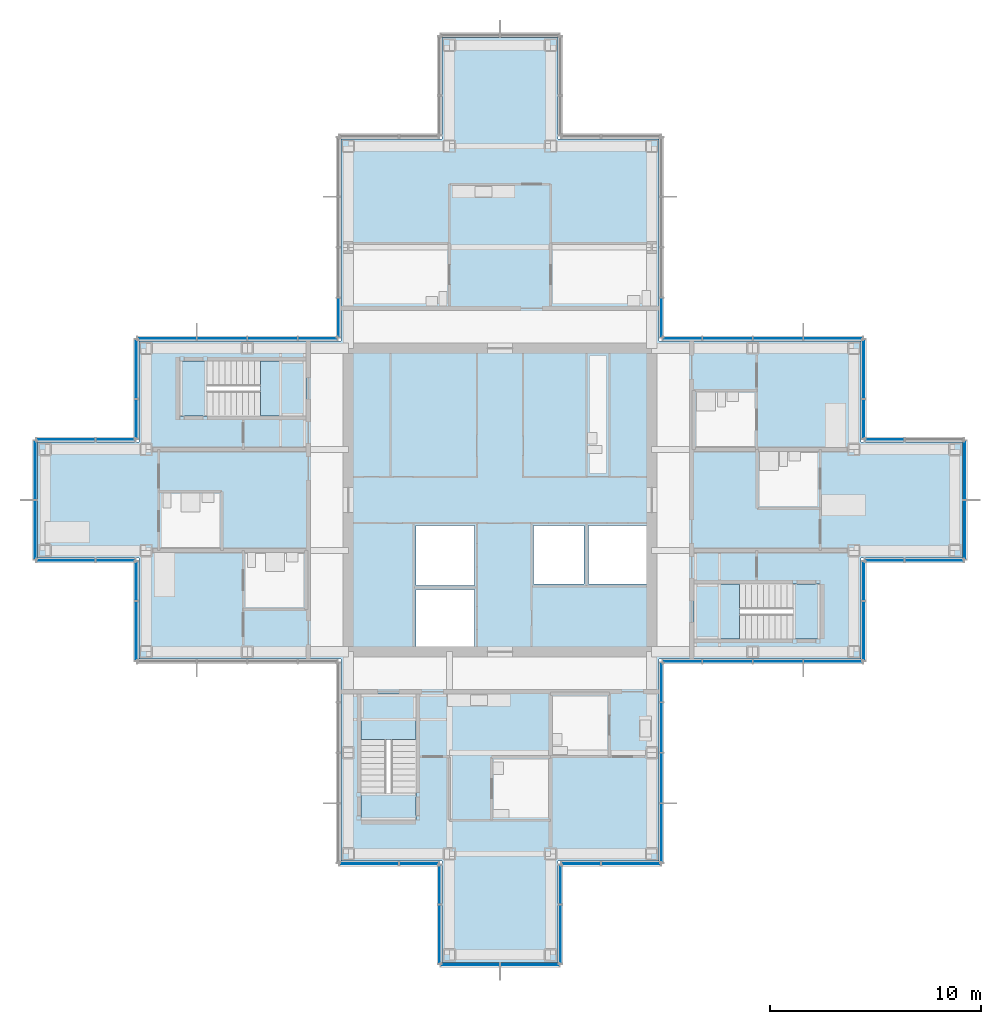
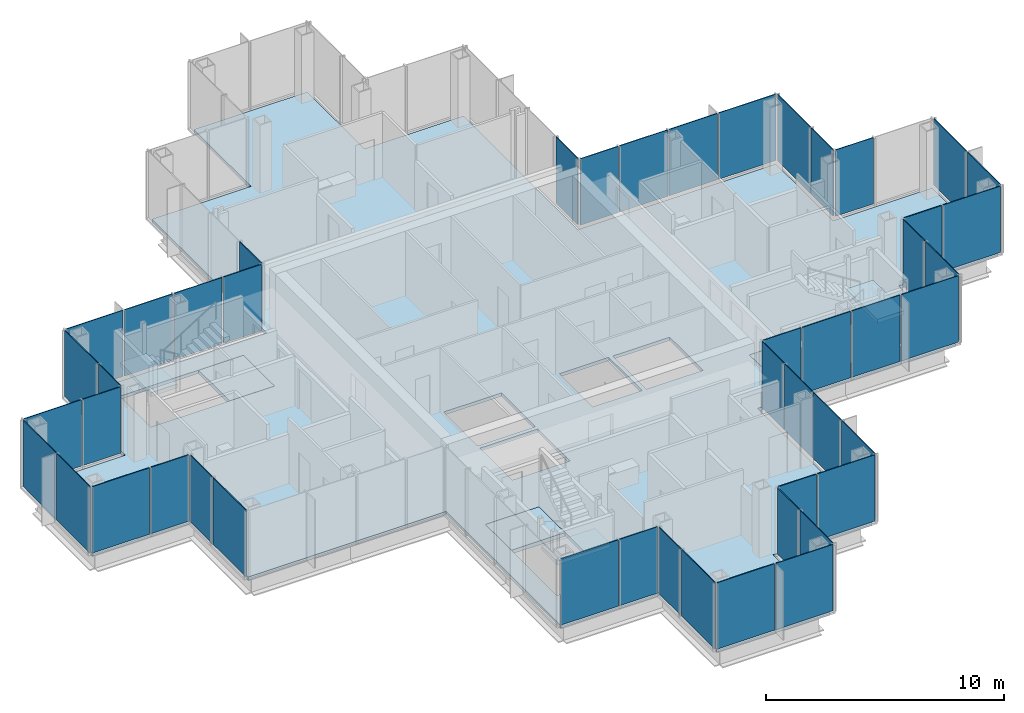
# One storey, part 10 of 17: 47 plates, 7 slabs, 24 elements without a shape of their own.
"""IFC4 building model written with IfcOpenShell, lengths in metres."""

import ifcopenshell
import ifcopenshell.guid

model = None  # the IFC model being written
_history = None  # IfcOwnerHistory: only IFC2X3 demands one
_inside = {}  # id of a spatial element -> (the spatial element, [elements in it])
_under = {}  # id of a project, library or spatial element -> (it, [spatial elements below it])
_declared = {}  # id of a project -> (the project, [libraries it declares])
_typed = {}  # id of a type object -> (the type object, [elements of that type])
_made_of = {}  # id of a material, layer set ... -> (it, [elements and type objects made of it])


def new_model(schema):
    """Start an empty IFC model of exactly this schema.

    Asked for "IFC4X3", IfcOpenShell would pick the latest addendum, in which some entities
    have other attributes; the version numbers below select the first issue.
    IFC2X3 requires an IfcOwnerHistory on every rooted entity: one is made here for all.
    """
    global model, _history
    if schema == "IFC4X3":
        model = ifcopenshell.file(schema_version=(4, 3, 0, 0))
    else:
        model = ifcopenshell.file(schema=schema)
    _inside.clear()
    _under.clear()
    _declared.clear()
    _typed.clear()
    _made_of.clear()
    _history = None
    if model.schema == "IFC2X3":
        org = make("IfcOrganization", Name="unknown")
        user = make(
            "IfcPersonAndOrganization",
            ThePerson=make("IfcPerson", FamilyName="unknown"),
            TheOrganization=org,
        )
        app = make(
            "IfcApplication",
            ApplicationDeveloper=org,
            Version="unknown",
            ApplicationFullName="unknown",
            ApplicationIdentifier="unknown",
        )
        _history = make(
            "IfcOwnerHistory",
            OwningUser=user,
            OwningApplication=app,
            ChangeAction="ADDED",
            CreationDate=0,
        )
    return model


def make(cls, **values):
    """One entity of the class cls with the attributes given. An attribute that is None is left unset."""
    return model.create_entity(
        cls, **{name: value for name, value in values.items() if value is not None}
    )


def rooted(cls, **values):
    """An entity with a GlobalId (a new one), such as an element, a storey or a relation."""
    return make(cls, GlobalId=ifcopenshell.guid.new(), OwnerHistory=_history, **values)


def si_unit(unit_type, name, prefix=None):
    """IfcSIUnit, for example si_unit("LENGTHUNIT", "METRE", prefix="MILLI")."""
    return make("IfcSIUnit", UnitType=unit_type, Prefix=prefix, Name=name)


def assignment(units):
    """IfcUnitAssignment: the units of a project."""
    return None if units is None else make("IfcUnitAssignment", Units=units)


def point(xyz):
    """IfcCartesianPoint."""
    return None if xyz is None else make("IfcCartesianPoint", Coordinates=xyz)


def direction(xyz):
    """IfcDirection."""
    return None if xyz is None else make("IfcDirection", DirectionRatios=xyz)


def frame(location, z_axis=None, x_axis=None):
    """IfcAxis2Placement3D, a coordinate frame: its origin and axes. An axis left out is left unset."""
    return make(
        "IfcAxis2Placement3D",
        Location=point(location),
        Axis=direction(z_axis),
        RefDirection=direction(x_axis),
    )


def frame_2d(location, x_axis=None):
    """IfcAxis2Placement2D, a coordinate frame in the plane: its origin and x axis."""
    return make(
        "IfcAxis2Placement2D", Location=point(location), RefDirection=direction(x_axis)
    )


def origin():
    """The frame at (0, 0, 0) with its axes left unset."""
    return frame((0.0, 0.0, 0.0))


def origin_2d():
    """The frame at (0, 0) in the plane with its x axis left unset."""
    return frame_2d((0.0, 0.0))


def place(relative_to, where):
    """IfcLocalPlacement: puts the frame where relative to a parent placement (None: the world)."""
    return make(
        "IfcLocalPlacement", PlacementRelTo=relative_to, RelativePlacement=where
    )


def context(
    kind, dimensions, precision=None, world=None, true_north=None, identifier=None
):
    """IfcGeometricRepresentationContext, for example the 3D "Model" context."""
    return make(
        "IfcGeometricRepresentationContext",
        ContextIdentifier=identifier,
        ContextType=kind,
        CoordinateSpaceDimension=dimensions,
        Precision=precision,
        WorldCoordinateSystem=world,
        TrueNorth=true_north,
    )


def subcontext(parent, identifier, kind, view, scale=None):
    """IfcGeometricRepresentationSubContext, for example "Body" below "Model"."""
    return make(
        "IfcGeometricRepresentationSubContext",
        ContextIdentifier=identifier,
        ContextType=kind,
        ParentContext=parent,
        TargetScale=scale,
        TargetView=view,
    )


def project(units=None, contexts=None):
    """IfcProject with its units and contexts."""
    return rooted(
        "IfcProject",
        Name="project",
        RepresentationContexts=contexts,
        UnitsInContext=assignment(units),
    )


def spatial(cls, under=None, at=None, **own):
    """A site, building, storey or space (cls), placed at a placement, below another one or the project."""
    s = rooted(cls, ObjectPlacement=at, **own)
    if under is not None:
        _under.setdefault(under.id(), (under, []))[1].append(s)
    return s


def polyline(points):
    """IfcPolyline through the points."""
    return make("IfcPolyline", Points=[point(p) for p in points])


def profile(cls, at=None, kind="AREA", **sizes):
    """A parametric profile (cls). Its sizes go by their IFC names, for example OverallWidth=200.0."""
    return make(cls, ProfileType=kind, Position=at, **sizes)


def rectangle(**sizes):
    """IfcRectangleProfileDef."""
    return profile("IfcRectangleProfileDef", **sizes)


def outline(outer, holes=None, kind="AREA"):
    """IfcArbitraryClosedProfileDef: a profile drawn as a closed curve; with holes, ...WithVoids."""
    if holes is None:
        return make("IfcArbitraryClosedProfileDef", ProfileType=kind, OuterCurve=outer)
    return make(
        "IfcArbitraryProfileDefWithVoids",
        ProfileType=kind,
        OuterCurve=outer,
        InnerCurves=holes,
    )


def extrude(swept, where, along, depth):
    """IfcExtrudedAreaSolid: the profile swept, set in the frame where, extruded along a direction by depth."""
    return make(
        "IfcExtrudedAreaSolid",
        SweptArea=swept,
        Position=where,
        ExtrudedDirection=direction(along),
        Depth=depth,
    )


def shape(context_of_items, identifier, shape_type, items):
    """IfcShapeRepresentation: the items that make up one representation, for example the "Body"."""
    return make(
        "IfcShapeRepresentation",
        ContextOfItems=context_of_items,
        RepresentationIdentifier=identifier,
        RepresentationType=shape_type,
        Items=items,
    )


def material(Name=None, Category=None):
    """IfcMaterial."""
    return make("IfcMaterial", Name=Name, Category=Category)


def layer(
    of_material, thickness, ventilated=None, Name=None, Category=None, Priority=None
):
    """IfcMaterialLayer: one layer of a wall or slab, of a material (None: an air gap)."""
    return make(
        "IfcMaterialLayer",
        Material=of_material,
        LayerThickness=thickness,
        IsVentilated=ventilated,
        Name=Name,
        Category=Category,
        Priority=Priority,
    )


def layer_set(layers, Name=None):
    """IfcMaterialLayerSet."""
    return make("IfcMaterialLayerSet", MaterialLayers=layers, LayerSetName=Name)


def made_of(thing, what):
    """Note that an element or type object is made of a material, layer set ...; save() writes the relation."""
    if what is not None:
        _made_of.setdefault(what.id(), (what, []))[1].append(thing)
    return thing


def type_object(cls, material=None, **own):
    """A type object (cls), such as IfcWallType, which elements share."""
    return made_of(rooted(cls, **own), material)


def element(
    cls,
    number,
    at=None,
    inside=None,
    cuts=None,
    type_object=None,
    material=None,
    context=None,
    identifier="Body",
    shape_type=None,
    held_by="IfcProductDefinitionShape",
    body=None,
    shapes=None,
    **own,
):
    """One element of the class cls, such as IfcWall. Its Tag is "e" and its number.

    at: its placement. inside: the storey or other place that contains it. cuts: it is an
    opening in that element (IfcRelVoidsElement). A single representation is given by context,
    identifier, shape_type and body (its items); several are given by shapes. held_by: the class
    of the entity that holds the representations. save() writes the other relations.
    """
    e = rooted(cls, Tag="e%d" % number, ObjectPlacement=at, **own)
    if body is not None:
        shapes = [shape(context, identifier, shape_type, body)]
    if shapes is not None:
        e.Representation = make(held_by, Representations=shapes)
    if inside is not None:
        _inside.setdefault(inside.id(), (inside, []))[1].append(e)
    if cuts is not None:
        rooted(
            "IfcRelVoidsElement", RelatingBuildingElement=cuts, RelatedOpeningElement=e
        )
    if type_object is not None:
        _typed.setdefault(type_object.id(), (type_object, []))[1].append(e)
    return made_of(e, material)


def aggregate(whole, parts):
    """IfcRelAggregates: a whole, such as a stair, and the parts it consists of."""
    return rooted("IfcRelAggregates", RelatingObject=whole, RelatedObjects=parts)


def save(model, path):
    """Write the relations noted so far, then the file.

    IfcRelAggregates (storeys below a building ...), IfcRelContainedInSpatialStructure (elements
    in a storey), IfcRelDefinesByType, IfcRelAssociatesMaterial and IfcRelDeclares: one each for
    every whole, place, type object, material and project.
    """
    for whole, parts in _under.values():
        aggregate(whole, parts)
    for where, things in _inside.values():
        rooted(
            "IfcRelContainedInSpatialStructure",
            RelatedElements=things,
            RelatingStructure=where,
        )
    for kind, things in _typed.values():
        rooted("IfcRelDefinesByType", RelatedObjects=things, RelatingType=kind)
    for what, things in _made_of.values():
        rooted("IfcRelAssociatesMaterial", RelatedObjects=things, RelatingMaterial=what)
    for by, libraries in _declared.values():
        rooted("IfcRelDeclares", RelatingContext=by, RelatedDefinitions=libraries)
    model.write(path)


model = new_model("IFC4")

# Units and contexts
model_context = context("Model", 3, precision=1e-05, world=origin(), true_north=direction((0.0, 1.0)))
body_context = subcontext(model_context, "Body", "Model", "MODEL_VIEW")
ifc_project = project(units=[si_unit("LENGTHUNIT", "METRE"), si_unit("AREAUNIT", "SQUARE_METRE"), si_unit("VOLUMEUNIT", "CUBIC_METRE"), si_unit("PLANEANGLEUNIT", "RADIAN"), si_unit("MASSUNIT", "GRAM", prefix="KILO")], contexts=[model_context])

# Site, building, storey
site_placement = place(None, origin())
site = spatial("IfcSite", under=ifc_project, at=site_placement, CompositionType="ELEMENT")
building_placement = place(site_placement, origin())
building = spatial("IfcBuilding", under=site, at=building_placement, Name="Kvirike Care Tower", CompositionType="ELEMENT")
storey_placement = place(building_placement, frame((0.0, 0.0, 155.0)))
storey = spatial("IfcBuildingStorey", under=building, at=storey_placement, Name="L42", CompositionType="ELEMENT", Elevation=155.0)

# Slab
ifc_material_1 = material(Name="Concrete C35/45", Category="concrete")
ifc_layer_1 = layer(ifc_material_1, 0.169921875)
ifc_layer_set_1 = layer_set([ifc_layer_1], Name="FLOOR SLAB 170")
slab_type_1 = type_object("IfcSlabType", Name="FLOOR SLAB 170", PredefinedType="FLOOR", material=ifc_layer_set_1)
slab_1_placement = place(storey_placement, frame((0.0, 0.0, -0.169921875)))
element("IfcSlab", 1, at=slab_1_placement, inside=storey, type_object=slab_type_1, Name="Floor slab L42", PredefinedType="FLOOR", context=body_context, shape_type="SweptSolid", body=[
    extrude(outline(polyline([(29.14990234375, 28.449951171875), (38.75, 28.449951171875), (38.75, 33.25), (43.550048828125, 33.25), (43.550048828125, 38.75), (38.75, 38.75), (38.75, 43.550048828125), (29.14990234375, 43.550048828125), (29.14990234375, 53.14990234375), (24.35009765625, 53.14990234375), (24.35009765625, 57.949951171875), (18.85009765625, 57.949951171875), (18.85009765625, 53.14990234375), (14.050048828125, 53.14990234375), (14.050048828125, 43.550048828125), (4.449951171875, 43.550048828125), (4.449951171875, 38.75), (-0.35009765625, 38.75), (-0.35009765625, 33.25), (4.449951171875, 33.25), (4.449951171875, 28.449951171875), (14.050048828125, 28.449951171875), (14.050048828125, 18.85009765625), (18.85009765625, 18.85009765625), (18.85009765625, 14.050048828125), (24.35009765625, 14.050048828125), (24.35009765625, 18.85009765625), (29.14990234375, 18.85009765625), (29.14990234375, 28.449951171875)]), holes=[polyline([(17.60009765625, 29.050048828125), (17.60009765625, 31.75), (20.39990234375, 31.75), (20.39990234375, 29.050048828125), (17.60009765625, 29.050048828125)]), polyline([(17.60009765625, 31.949951171875), (17.60009765625, 34.800048828125), (20.39990234375, 34.800048828125), (20.39990234375, 31.949951171875), (17.60009765625, 31.949951171875)]), polyline([(23.199951171875, 32.0), (23.199951171875, 34.800048828125), (25.60009765625, 34.800048828125), (25.60009765625, 32.0), (23.199951171875, 32.0)]), polyline([(25.800048828125, 32.0), (25.800048828125, 34.800048828125), (28.550048828125, 34.800048828125), (28.550048828125, 32.0), (25.800048828125, 32.0)]), polyline([(12.39990234375, 42.60009765625), (12.39990234375, 40.0), (6.39990234375, 40.0), (6.39990234375, 42.60009765625), (12.39990234375, 42.60009765625)]), polyline([(30.800048828125, 29.39990234375), (30.800048828125, 32.0), (36.800048828125, 32.0), (36.800048828125, 29.39990234375), (30.800048828125, 29.39990234375)]), polyline([(15.0, 26.800048828125), (17.60009765625, 26.800048828125), (17.60009765625, 20.800048828125), (15.0, 20.800048828125), (15.0, 26.800048828125)])]), origin(), (0.0, 0.0, 1.0), 0.169921875),
])

# Stair, slabs
ifc_material_2 = material(Name="Concrete C35/45", Category="concrete")
stair_type = type_object("IfcStairType", Name="STAIR 20 RISERS", PredefinedType="HALF_TURN_STAIR", material=ifc_material_2)
stair_1_placement = place(storey_placement, origin())
stair_1 = element("IfcStair", 2, at=stair_1_placement, inside=storey, type_object=stair_type, Name="Stair 1 L42", PredefinedType="HALF_TURN_STAIR")
ifc_material_3 = material(Name="Concrete C35/45", Category="concrete")
ifc_layer_2 = layer(ifc_material_3, 0.199951171875)
ifc_layer_set_2 = layer_set([ifc_layer_2], Name="STAIR LANDING 200")
slab_type_2 = type_object("IfcSlabType", Name="STAIR LANDING 200", PredefinedType="LANDING", material=ifc_layer_set_2)
slab_2_placement = place(storey_placement, frame((0.0, 0.0, -0.199951171875)))
slab_2 = element("IfcSlab", 3, at=slab_2_placement, type_object=slab_type_2, Name="Stair S1 floor landing L42", PredefinedType="LANDING", context=body_context, shape_type="SweptSolid", body=[
    extrude(outline(polyline([(10.219970703125, 42.60009765625), (10.219970703125, 40.0), (12.39990234375, 40.0), (12.39990234375, 42.60009765625), (10.219970703125, 42.60009765625)])), origin(), (0.0, 0.0, 1.0), 0.199951171875),
])
slab_3_placement = place(storey_placement, frame((0.0, 0.0, 1.550048828125)))
slab_3 = element("IfcSlab", 4, at=slab_3_placement, type_object=slab_type_2, Name="Stair S1 half landing L42-L43", PredefinedType="LANDING", context=body_context, shape_type="SweptSolid", body=[
    extrude(outline(polyline([(6.39990234375, 42.60009765625), (6.39990234375, 40.0), (7.699951171875, 40.0), (7.699951171875, 42.60009765625), (6.39990234375, 42.60009765625)])), origin(), (0.0, 0.0, 1.0), 0.199951171875),
])
aggregate(stair_1, [slab_2, slab_3])

stair_2_placement = place(storey_placement, origin())
stair_2 = element("IfcStair", 5, at=stair_2_placement, inside=storey, type_object=stair_type, Name="Stair 2 L42", PredefinedType="HALF_TURN_STAIR")
slab_4_placement = place(storey_placement, frame((0.0, 0.0, -0.199951171875)))
slab_4 = element("IfcSlab", 6, at=slab_4_placement, type_object=slab_type_2, Name="Stair S2 floor landing L42", PredefinedType="LANDING", context=body_context, shape_type="SweptSolid", body=[
    extrude(outline(polyline([(32.97998046875, 29.39990234375), (32.97998046875, 32.0), (30.800048828125, 32.0), (30.800048828125, 29.39990234375), (32.97998046875, 29.39990234375)])), origin(), (0.0, 0.0, 1.0), 0.199951171875),
])
slab_5_placement = place(storey_placement, frame((0.0, 0.0, 1.550048828125)))
slab_5 = element("IfcSlab", 7, at=slab_5_placement, type_object=slab_type_2, Name="Stair S2 half landing L42-L43", PredefinedType="LANDING", context=body_context, shape_type="SweptSolid", body=[
    extrude(outline(polyline([(36.800048828125, 29.39990234375), (36.800048828125, 32.0), (35.5, 32.0), (35.5, 29.39990234375), (36.800048828125, 29.39990234375)])), origin(), (0.0, 0.0, 1.0), 0.199951171875),
])
aggregate(stair_2, [slab_4, slab_5])

stair_3_placement = place(storey_placement, origin())
stair_3 = element("IfcStair", 8, at=stair_3_placement, inside=storey, type_object=stair_type, Name="Stair 5 L42", PredefinedType="HALF_TURN_STAIR")
slab_6_placement = place(storey_placement, frame((0.0, 0.0, -0.199951171875)))
slab_6 = element("IfcSlab", 9, at=slab_6_placement, type_object=slab_type_2, Name="Stair S5 floor landing L42", PredefinedType="LANDING", context=body_context, shape_type="SweptSolid", body=[
    extrude(outline(polyline([(15.0, 24.6201171875), (17.60009765625, 24.6201171875), (17.60009765625, 26.800048828125), (15.0, 26.800048828125), (15.0, 24.6201171875)])), origin(), (0.0, 0.0, 1.0), 0.199951171875),
])
slab_7_placement = place(storey_placement, frame((0.0, 0.0, 1.550048828125)))
slab_7 = element("IfcSlab", 10, at=slab_7_placement, type_object=slab_type_2, Name="Stair S5 half landing L42-L43", PredefinedType="LANDING", context=body_context, shape_type="SweptSolid", body=[
    extrude(outline(polyline([(15.0, 20.800048828125), (17.60009765625, 20.800048828125), (17.60009765625, 22.10009765625), (15.0, 22.10009765625), (15.0, 20.800048828125)])), origin(), (0.0, 0.0, 1.0), 0.199951171875),
])
aggregate(stair_3, [slab_6, slab_7])

# Curtain wall, plates
ifc_material_4 = material(Name="Anodised aluminium stick system", Category="aluminium")
curtain_wall_type = type_object("IfcCurtainWallType", Name="CW-C STICK CURTAIN WALL", PredefinedType="NOTDEFINED", material=ifc_material_4)
curtain_wall_1_placement = place(storey_placement, origin())
curtain_wall_1 = element("IfcCurtainWall", 11, at=curtain_wall_1_placement, inside=storey, type_object=curtain_wall_type, Name="Curtain wall L42 face 1", PredefinedType="NOTDEFINED")
ifc_material_5 = material(Name="Tinted double glazed unit", Category="glass")
ifc_layer_3 = layer(ifc_material_5, 0.0400390625)
ifc_layer_set_3 = layer_set([ifc_layer_3], Name="TINTED VISION PANEL 40")
plate_type = type_object("IfcPlateType", Name="TINTED VISION PANEL 40", PredefinedType="CURTAIN_PANEL", material=ifc_layer_set_3)
plate_1_placement = place(storey_placement, frame((30.251220703125, 28.330078125, 0.10009765625), z_axis=(0.0, 0.0, 1.0), x_axis=(1.0, 0.0, 0.0)))
plate_1 = element("IfcPlate", 12, at=plate_1_placement, type_object=plate_type, Name="CW-C panel L42 face 1.1", PredefinedType="CURTAIN_PANEL", context=body_context, shape_type="SweptSolid", body=[
    extrude(rectangle(XDim=1.83251953125, YDim=0.0400390625, at=origin_2d()), origin(), (0.0, 0.0, 1.0), 3.39990234375),
])
plate_2_placement = place(storey_placement, frame((32.39990234375, 28.330078125, 0.10009765625), z_axis=(0.0, 0.0, 1.0), x_axis=(1.0, 0.0, 0.0)))
plate_2 = element("IfcPlate", 13, at=plate_2_placement, type_object=plate_type, Name="CW-C panel L42 face 1.2", PredefinedType="CURTAIN_PANEL", context=body_context, shape_type="SweptSolid", body=[
    extrude(rectangle(XDim=2.3349609375, YDim=0.0400390625, at=origin_2d()), origin(), (0.0, 0.0, 1.0), 3.39990234375),
])
plate_3_placement = place(storey_placement, frame((34.800048828125, 28.330078125, 0.10009765625), z_axis=(0.0, 0.0, 1.0), x_axis=(1.0, 0.0, 0.0)))
plate_3 = element("IfcPlate", 14, at=plate_3_placement, type_object=plate_type, Name="CW-C panel L42 face 1.3", PredefinedType="CURTAIN_PANEL", context=body_context, shape_type="SweptSolid", body=[
    extrude(rectangle(XDim=2.3349609375, YDim=0.0400390625, at=origin_2d()), origin(), (0.0, 0.0, 1.0), 3.39990234375),
])
plate_4_placement = place(storey_placement, frame((37.418701171875, 28.330078125, 0.10009765625), z_axis=(0.0, 0.0, 1.0), x_axis=(1.0, 0.0, 0.0)))
plate_4 = element("IfcPlate", 15, at=plate_4_placement, type_object=plate_type, Name="CW-C panel L42 face 1.4", PredefinedType="CURTAIN_PANEL", context=body_context, shape_type="SweptSolid", body=[
    extrude(rectangle(XDim=2.7724609375, YDim=0.0400390625, at=origin_2d()), origin(), (0.0, 0.0, 1.0), 3.39990234375),
])
aggregate(curtain_wall_1, [plate_1, plate_2, plate_3, plate_4])

curtain_wall_2_placement = place(storey_placement, origin())
curtain_wall_2 = element("IfcCurtainWall", 16, at=curtain_wall_2_placement, inside=storey, type_object=curtain_wall_type, Name="Curtain wall L42 face 2", PredefinedType="NOTDEFINED")
plate_5_placement = place(storey_placement, frame((38.8701171875, 29.78125, 0.10009765625), z_axis=(0.0, 0.0, 1.0), x_axis=(0.0, 1.0, 0.0)))
plate_5 = element("IfcPlate", 17, at=plate_5_placement, type_object=plate_type, Name="CW-C panel L42 face 2.1", PredefinedType="CURTAIN_PANEL", context=body_context, shape_type="SweptSolid", body=[
    extrude(rectangle(XDim=2.7724609375, YDim=0.0400390625, at=origin_2d()), origin(), (0.0, 0.0, 1.0), 3.39990234375),
])
plate_6_placement = place(storey_placement, frame((38.8701171875, 32.148681640625, 0.10009765625), z_axis=(0.0, 0.0, 1.0), x_axis=(0.0, 1.0, 0.0)))
plate_6 = element("IfcPlate", 18, at=plate_6_placement, type_object=plate_type, Name="CW-C panel L42 face 2.2", PredefinedType="CURTAIN_PANEL", context=body_context, shape_type="SweptSolid", body=[
    extrude(rectangle(XDim=1.83251953125, YDim=0.0400390625, at=origin_2d()), origin(), (0.0, 0.0, 1.0), 3.39990234375),
])
aggregate(curtain_wall_2, [plate_5, plate_6])

curtain_wall_3_placement = place(storey_placement, origin())
curtain_wall_3 = element("IfcCurtainWall", 19, at=curtain_wall_3_placement, inside=storey, type_object=curtain_wall_type, Name="Curtain wall L42 face 3", PredefinedType="NOTDEFINED")
plate_7_placement = place(storey_placement, frame((39.851318359375, 33.1298828125, 0.10009765625), z_axis=(0.0, 0.0, 1.0), x_axis=(1.0, 0.0, 0.0)))
plate_7 = element("IfcPlate", 20, at=plate_7_placement, type_object=plate_type, Name="CW-C panel L42 face 3.1", PredefinedType="CURTAIN_PANEL", context=body_context, shape_type="SweptSolid", body=[
    extrude(rectangle(XDim=1.83251953125, YDim=0.0400390625, at=origin_2d()), origin(), (0.0, 0.0, 1.0), 3.39990234375),
])
plate_8_placement = place(storey_placement, frame((42.21875, 33.1298828125, 0.10009765625), z_axis=(0.0, 0.0, 1.0), x_axis=(1.0, 0.0, 0.0)))
plate_8 = element("IfcPlate", 21, at=plate_8_placement, type_object=plate_type, Name="CW-C panel L42 face 3.2", PredefinedType="CURTAIN_PANEL", context=body_context, shape_type="SweptSolid", body=[
    extrude(rectangle(XDim=2.7724609375, YDim=0.0400390625, at=origin_2d()), origin(), (0.0, 0.0, 1.0), 3.39990234375),
])
aggregate(curtain_wall_3, [plate_7, plate_8])

curtain_wall_4_placement = place(storey_placement, origin())
curtain_wall_4 = element("IfcCurtainWall", 22, at=curtain_wall_4_placement, inside=storey, type_object=curtain_wall_type, Name="Curtain wall L42 face 4", PredefinedType="NOTDEFINED")
plate_9_placement = place(storey_placement, frame((43.669921875, 34.581298828125, 0.10009765625), z_axis=(0.0, 0.0, 1.0), x_axis=(0.0, 1.0, 0.0)))
plate_9 = element("IfcPlate", 23, at=plate_9_placement, type_object=plate_type, Name="CW-C panel L42 face 4.1", PredefinedType="CURTAIN_PANEL", context=body_context, shape_type="SweptSolid", body=[
    extrude(rectangle(XDim=2.7724609375, YDim=0.0400390625, at=origin_2d()), origin(), (0.0, 0.0, 1.0), 3.39990234375),
])
plate_10_placement = place(storey_placement, frame((43.669921875, 37.418701171875, 0.10009765625), z_axis=(0.0, 0.0, 1.0), x_axis=(0.0, 1.0, 0.0)))
plate_10 = element("IfcPlate", 24, at=plate_10_placement, type_object=plate_type, Name="CW-C panel L42 face 4.2", PredefinedType="CURTAIN_PANEL", context=body_context, shape_type="SweptSolid", body=[
    extrude(rectangle(XDim=2.7724609375, YDim=0.0400390625, at=origin_2d()), origin(), (0.0, 0.0, 1.0), 3.39990234375),
])
aggregate(curtain_wall_4, [plate_9, plate_10])

# Curtain wall, plate
curtain_wall_5_placement = place(storey_placement, origin())
curtain_wall_5 = element("IfcCurtainWall", 25, at=curtain_wall_5_placement, inside=storey, type_object=curtain_wall_type, Name="Curtain wall L42 face 5", PredefinedType="NOTDEFINED")
plate_11_placement = place(storey_placement, frame((39.851318359375, 38.8701171875, 0.10009765625), z_axis=(0.0, 0.0, 1.0), x_axis=(-1.0, 0.0, 0.0)))
plate_11 = element("IfcPlate", 26, at=plate_11_placement, type_object=plate_type, Name="CW-C panel L42 face 5.2", PredefinedType="CURTAIN_PANEL", context=body_context, shape_type="SweptSolid", body=[
    extrude(rectangle(XDim=1.83251953125, YDim=0.0400390625, at=origin_2d()), origin(), (0.0, 0.0, 1.0), 3.39990234375),
])
aggregate(curtain_wall_5, [plate_11])

# Curtain wall, plates
curtain_wall_6_placement = place(storey_placement, origin())
curtain_wall_6 = element("IfcCurtainWall", 27, at=curtain_wall_6_placement, inside=storey, type_object=curtain_wall_type, Name="Curtain wall L42 face 6", PredefinedType="NOTDEFINED")
plate_12_placement = place(storey_placement, frame((38.8701171875, 39.851318359375, 0.10009765625), z_axis=(0.0, 0.0, 1.0), x_axis=(0.0, 1.0, 0.0)))
plate_12 = element("IfcPlate", 28, at=plate_12_placement, type_object=plate_type, Name="CW-C panel L42 face 6.1", PredefinedType="CURTAIN_PANEL", context=body_context, shape_type="SweptSolid", body=[
    extrude(rectangle(XDim=1.83251953125, YDim=0.0400390625, at=origin_2d()), origin(), (0.0, 0.0, 1.0), 3.39990234375),
])
plate_13_placement = place(storey_placement, frame((38.8701171875, 42.21875, 0.10009765625), z_axis=(0.0, 0.0, 1.0), x_axis=(0.0, 1.0, 0.0)))
plate_13 = element("IfcPlate", 29, at=plate_13_placement, type_object=plate_type, Name="CW-C panel L42 face 6.2", PredefinedType="CURTAIN_PANEL", context=body_context, shape_type="SweptSolid", body=[
    extrude(rectangle(XDim=2.7724609375, YDim=0.0400390625, at=origin_2d()), origin(), (0.0, 0.0, 1.0), 3.39990234375),
])
aggregate(curtain_wall_6, [plate_12, plate_13])

curtain_wall_7_placement = place(storey_placement, origin())
curtain_wall_7 = element("IfcCurtainWall", 30, at=curtain_wall_7_placement, inside=storey, type_object=curtain_wall_type, Name="Curtain wall L42 face 7", PredefinedType="NOTDEFINED")
plate_14_placement = place(storey_placement, frame((37.418701171875, 43.669921875, 0.10009765625), z_axis=(0.0, 0.0, 1.0), x_axis=(-1.0, 0.0, 0.0)))
plate_14 = element("IfcPlate", 31, at=plate_14_placement, type_object=plate_type, Name="CW-C panel L42 face 7.1", PredefinedType="CURTAIN_PANEL", context=body_context, shape_type="SweptSolid", body=[
    extrude(rectangle(XDim=2.7724609375, YDim=0.0400390625, at=origin_2d()), origin(), (0.0, 0.0, 1.0), 3.39990234375),
])
plate_15_placement = place(storey_placement, frame((34.800048828125, 43.669921875, 0.10009765625), z_axis=(0.0, 0.0, 1.0), x_axis=(-1.0, 0.0, 0.0)))
plate_15 = element("IfcPlate", 32, at=plate_15_placement, type_object=plate_type, Name="CW-C panel L42 face 7.2", PredefinedType="CURTAIN_PANEL", context=body_context, shape_type="SweptSolid", body=[
    extrude(rectangle(XDim=2.3349609375, YDim=0.0400390625, at=origin_2d()), origin(), (0.0, 0.0, 1.0), 3.39990234375),
])
plate_16_placement = place(storey_placement, frame((32.39990234375, 43.669921875, 0.10009765625), z_axis=(0.0, 0.0, 1.0), x_axis=(-1.0, 0.0, 0.0)))
plate_16 = element("IfcPlate", 33, at=plate_16_placement, type_object=plate_type, Name="CW-C panel L42 face 7.3", PredefinedType="CURTAIN_PANEL", context=body_context, shape_type="SweptSolid", body=[
    extrude(rectangle(XDim=2.3349609375, YDim=0.0400390625, at=origin_2d()), origin(), (0.0, 0.0, 1.0), 3.39990234375),
])
plate_17_placement = place(storey_placement, frame((30.251220703125, 43.669921875, 0.10009765625), z_axis=(0.0, 0.0, 1.0), x_axis=(-1.0, 0.0, 0.0)))
plate_17 = element("IfcPlate", 34, at=plate_17_placement, type_object=plate_type, Name="CW-C panel L42 face 7.4", PredefinedType="CURTAIN_PANEL", context=body_context, shape_type="SweptSolid", body=[
    extrude(rectangle(XDim=1.83251953125, YDim=0.0400390625, at=origin_2d()), origin(), (0.0, 0.0, 1.0), 3.39990234375),
])
aggregate(curtain_wall_7, [plate_14, plate_15, plate_16, plate_17])

# Curtain wall, plate
curtain_wall_8_placement = place(storey_placement, origin())
curtain_wall_8 = element("IfcCurtainWall", 35, at=curtain_wall_8_placement, inside=storey, type_object=curtain_wall_type, Name="Curtain wall L42 face 8", PredefinedType="NOTDEFINED")
plate_18_placement = place(storey_placement, frame((29.27001953125, 44.6513671875, 0.10009765625), z_axis=(0.0, 0.0, 1.0), x_axis=(0.0, 1.0, 0.0)))
plate_18 = element("IfcPlate", 36, at=plate_18_placement, type_object=plate_type, Name="CW-C panel L42 face 8.1", PredefinedType="CURTAIN_PANEL", context=body_context, shape_type="SweptSolid", body=[
    extrude(rectangle(XDim=1.83251953125, YDim=0.0400390625, at=origin_2d()), origin(), (0.0, 0.0, 1.0), 3.39990234375),
])
aggregate(curtain_wall_8, [plate_18])

curtain_wall_9_placement = place(storey_placement, origin())
curtain_wall_9 = element("IfcCurtainWall", 37, at=curtain_wall_9_placement, inside=storey, type_object=curtain_wall_type, Name="Curtain wall L42 face 14", PredefinedType="NOTDEFINED")
plate_19_placement = place(storey_placement, frame((13.929931640625, 44.6513671875, 0.10009765625), z_axis=(0.0, 0.0, 1.0), x_axis=(0.0, -1.0, 0.0)))
plate_19 = element("IfcPlate", 38, at=plate_19_placement, type_object=plate_type, Name="CW-C panel L42 face 14.4", PredefinedType="CURTAIN_PANEL", context=body_context, shape_type="SweptSolid", body=[
    extrude(rectangle(XDim=1.83251953125, YDim=0.0400390625, at=origin_2d()), origin(), (0.0, 0.0, 1.0), 3.39990234375),
])
aggregate(curtain_wall_9, [plate_19])

# Curtain wall, plates
curtain_wall_10_placement = place(storey_placement, origin())
curtain_wall_10 = element("IfcCurtainWall", 39, at=curtain_wall_10_placement, inside=storey, type_object=curtain_wall_type, Name="Curtain wall L42 face 15", PredefinedType="NOTDEFINED")
plate_20_placement = place(storey_placement, frame((12.94873046875, 43.669921875, 0.10009765625), z_axis=(0.0, 0.0, 1.0), x_axis=(-1.0, 0.0, 0.0)))
plate_20 = element("IfcPlate", 40, at=plate_20_placement, type_object=plate_type, Name="CW-C panel L42 face 15.1", PredefinedType="CURTAIN_PANEL", context=body_context, shape_type="SweptSolid", body=[
    extrude(rectangle(XDim=1.83251953125, YDim=0.0400390625, at=origin_2d()), origin(), (0.0, 0.0, 1.0), 3.39990234375),
])
plate_21_placement = place(storey_placement, frame((10.800048828125, 43.669921875, 0.10009765625), z_axis=(0.0, 0.0, 1.0), x_axis=(-1.0, 0.0, 0.0)))
plate_21 = element("IfcPlate", 41, at=plate_21_placement, type_object=plate_type, Name="CW-C panel L42 face 15.2", PredefinedType="CURTAIN_PANEL", context=body_context, shape_type="SweptSolid", body=[
    extrude(rectangle(XDim=2.3349609375, YDim=0.0400390625, at=origin_2d()), origin(), (0.0, 0.0, 1.0), 3.39990234375),
])
plate_22_placement = place(storey_placement, frame((8.39990234375, 43.669921875, 0.10009765625), z_axis=(0.0, 0.0, 1.0), x_axis=(-1.0, 0.0, 0.0)))
plate_22 = element("IfcPlate", 42, at=plate_22_placement, type_object=plate_type, Name="CW-C panel L42 face 15.3", PredefinedType="CURTAIN_PANEL", context=body_context, shape_type="SweptSolid", body=[
    extrude(rectangle(XDim=2.3349609375, YDim=0.0400390625, at=origin_2d()), origin(), (0.0, 0.0, 1.0), 3.39990234375),
])
plate_23_placement = place(storey_placement, frame((5.78125, 43.669921875, 0.10009765625), z_axis=(0.0, 0.0, 1.0), x_axis=(-1.0, 0.0, 0.0)))
plate_23 = element("IfcPlate", 43, at=plate_23_placement, type_object=plate_type, Name="CW-C panel L42 face 15.4", PredefinedType="CURTAIN_PANEL", context=body_context, shape_type="SweptSolid", body=[
    extrude(rectangle(XDim=2.7724609375, YDim=0.0400390625, at=origin_2d()), origin(), (0.0, 0.0, 1.0), 3.39990234375),
])
aggregate(curtain_wall_10, [plate_20, plate_21, plate_22, plate_23])

curtain_wall_11_placement = place(storey_placement, origin())
curtain_wall_11 = element("IfcCurtainWall", 44, at=curtain_wall_11_placement, inside=storey, type_object=curtain_wall_type, Name="Curtain wall L42 face 16", PredefinedType="NOTDEFINED")
plate_24_placement = place(storey_placement, frame((4.330078125, 42.21875, 0.10009765625), z_axis=(0.0, 0.0, 1.0), x_axis=(0.0, -1.0, 0.0)))
plate_24 = element("IfcPlate", 45, at=plate_24_placement, type_object=plate_type, Name="CW-C panel L42 face 16.1", PredefinedType="CURTAIN_PANEL", context=body_context, shape_type="SweptSolid", body=[
    extrude(rectangle(XDim=2.7724609375, YDim=0.0400390625, at=origin_2d()), origin(), (0.0, 0.0, 1.0), 3.39990234375),
])
plate_25_placement = place(storey_placement, frame((4.330078125, 39.851318359375, 0.10009765625), z_axis=(0.0, 0.0, 1.0), x_axis=(0.0, -1.0, 0.0)))
plate_25 = element("IfcPlate", 46, at=plate_25_placement, type_object=plate_type, Name="CW-C panel L42 face 16.2", PredefinedType="CURTAIN_PANEL", context=body_context, shape_type="SweptSolid", body=[
    extrude(rectangle(XDim=1.83251953125, YDim=0.0400390625, at=origin_2d()), origin(), (0.0, 0.0, 1.0), 3.39990234375),
])
aggregate(curtain_wall_11, [plate_24, plate_25])

curtain_wall_12_placement = place(storey_placement, origin())
curtain_wall_12 = element("IfcCurtainWall", 47, at=curtain_wall_12_placement, inside=storey, type_object=curtain_wall_type, Name="Curtain wall L42 face 17", PredefinedType="NOTDEFINED")
plate_26_placement = place(storey_placement, frame((3.3486328125, 38.8701171875, 0.10009765625), z_axis=(0.0, 0.0, 1.0), x_axis=(-1.0, 0.0, 0.0)))
plate_26 = element("IfcPlate", 48, at=plate_26_placement, type_object=plate_type, Name="CW-C panel L42 face 17.1", PredefinedType="CURTAIN_PANEL", context=body_context, shape_type="SweptSolid", body=[
    extrude(rectangle(XDim=1.83251953125, YDim=0.0400390625, at=origin_2d()), origin(), (0.0, 0.0, 1.0), 3.39990234375),
])
plate_27_placement = place(storey_placement, frame((0.981201171875, 38.8701171875, 0.10009765625), z_axis=(0.0, 0.0, 1.0), x_axis=(-1.0, 0.0, 0.0)))
plate_27 = element("IfcPlate", 49, at=plate_27_placement, type_object=plate_type, Name="CW-C panel L42 face 17.2", PredefinedType="CURTAIN_PANEL", context=body_context, shape_type="SweptSolid", body=[
    extrude(rectangle(XDim=2.7724609375, YDim=0.0400390625, at=origin_2d()), origin(), (0.0, 0.0, 1.0), 3.39990234375),
])
aggregate(curtain_wall_12, [plate_26, plate_27])

curtain_wall_13_placement = place(storey_placement, origin())
curtain_wall_13 = element("IfcCurtainWall", 50, at=curtain_wall_13_placement, inside=storey, type_object=curtain_wall_type, Name="Curtain wall L42 face 18", PredefinedType="NOTDEFINED")
plate_28_placement = place(storey_placement, frame((-0.469970703125, 37.418701171875, 0.10009765625), z_axis=(0.0, 0.0, 1.0), x_axis=(0.0, -1.0, 0.0)))
plate_28 = element("IfcPlate", 51, at=plate_28_placement, type_object=plate_type, Name="CW-C panel L42 face 18.1", PredefinedType="CURTAIN_PANEL", context=body_context, shape_type="SweptSolid", body=[
    extrude(rectangle(XDim=2.7724609375, YDim=0.0400390625, at=origin_2d()), origin(), (0.0, 0.0, 1.0), 3.39990234375),
])
plate_29_placement = place(storey_placement, frame((-0.469970703125, 34.581298828125, 0.10009765625), z_axis=(0.0, 0.0, 1.0), x_axis=(0.0, -1.0, 0.0)))
plate_29 = element("IfcPlate", 52, at=plate_29_placement, type_object=plate_type, Name="CW-C panel L42 face 18.2", PredefinedType="CURTAIN_PANEL", context=body_context, shape_type="SweptSolid", body=[
    extrude(rectangle(XDim=2.7724609375, YDim=0.0400390625, at=origin_2d()), origin(), (0.0, 0.0, 1.0), 3.39990234375),
])
aggregate(curtain_wall_13, [plate_28, plate_29])

curtain_wall_14_placement = place(storey_placement, origin())
curtain_wall_14 = element("IfcCurtainWall", 53, at=curtain_wall_14_placement, inside=storey, type_object=curtain_wall_type, Name="Curtain wall L42 face 19", PredefinedType="NOTDEFINED")
plate_30_placement = place(storey_placement, frame((0.981201171875, 33.1298828125, 0.10009765625), z_axis=(0.0, 0.0, 1.0), x_axis=(1.0, 0.0, 0.0)))
plate_30 = element("IfcPlate", 54, at=plate_30_placement, type_object=plate_type, Name="CW-C panel L42 face 19.1", PredefinedType="CURTAIN_PANEL", context=body_context, shape_type="SweptSolid", body=[
    extrude(rectangle(XDim=2.7724609375, YDim=0.0400390625, at=origin_2d()), origin(), (0.0, 0.0, 1.0), 3.39990234375),
])
plate_31_placement = place(storey_placement, frame((3.3486328125, 33.1298828125, 0.10009765625), z_axis=(0.0, 0.0, 1.0), x_axis=(1.0, 0.0, 0.0)))
plate_31 = element("IfcPlate", 55, at=plate_31_placement, type_object=plate_type, Name="CW-C panel L42 face 19.2", PredefinedType="CURTAIN_PANEL", context=body_context, shape_type="SweptSolid", body=[
    extrude(rectangle(XDim=1.83251953125, YDim=0.0400390625, at=origin_2d()), origin(), (0.0, 0.0, 1.0), 3.39990234375),
])
aggregate(curtain_wall_14, [plate_30, plate_31])

curtain_wall_15_placement = place(storey_placement, origin())
curtain_wall_15 = element("IfcCurtainWall", 56, at=curtain_wall_15_placement, inside=storey, type_object=curtain_wall_type, Name="Curtain wall L42 face 20", PredefinedType="NOTDEFINED")
plate_32_placement = place(storey_placement, frame((4.330078125, 32.148681640625, 0.10009765625), z_axis=(0.0, 0.0, 1.0), x_axis=(0.0, -1.0, 0.0)))
plate_32 = element("IfcPlate", 57, at=plate_32_placement, type_object=plate_type, Name="CW-C panel L42 face 20.1", PredefinedType="CURTAIN_PANEL", context=body_context, shape_type="SweptSolid", body=[
    extrude(rectangle(XDim=1.83251953125, YDim=0.0400390625, at=origin_2d()), origin(), (0.0, 0.0, 1.0), 3.39990234375),
])
plate_33_placement = place(storey_placement, frame((4.330078125, 29.78125, 0.10009765625), z_axis=(0.0, 0.0, 1.0), x_axis=(0.0, -1.0, 0.0)))
plate_33 = element("IfcPlate", 58, at=plate_33_placement, type_object=plate_type, Name="CW-C panel L42 face 20.2", PredefinedType="CURTAIN_PANEL", context=body_context, shape_type="SweptSolid", body=[
    extrude(rectangle(XDim=2.7724609375, YDim=0.0400390625, at=origin_2d()), origin(), (0.0, 0.0, 1.0), 3.39990234375),
])
aggregate(curtain_wall_15, [plate_32, plate_33])

curtain_wall_16_placement = place(storey_placement, origin())
curtain_wall_16 = element("IfcCurtainWall", 59, at=curtain_wall_16_placement, inside=storey, type_object=curtain_wall_type, Name="Curtain wall L42 face 23", PredefinedType="NOTDEFINED")
plate_34_placement = place(storey_placement, frame((15.38134765625, 18.72998046875, 0.10009765625), z_axis=(0.0, 0.0, 1.0), x_axis=(1.0, 0.0, 0.0)))
plate_34 = element("IfcPlate", 60, at=plate_34_placement, type_object=plate_type, Name="CW-C panel L42 face 23.1", PredefinedType="CURTAIN_PANEL", context=body_context, shape_type="SweptSolid", body=[
    extrude(rectangle(XDim=2.7724609375, YDim=0.0400390625, at=origin_2d()), origin(), (0.0, 0.0, 1.0), 3.39990234375),
])
plate_35_placement = place(storey_placement, frame((17.748779296875, 18.72998046875, 0.10009765625), z_axis=(0.0, 0.0, 1.0), x_axis=(1.0, 0.0, 0.0)))
plate_35 = element("IfcPlate", 61, at=plate_35_placement, type_object=plate_type, Name="CW-C panel L42 face 23.2", PredefinedType="CURTAIN_PANEL", context=body_context, shape_type="SweptSolid", body=[
    extrude(rectangle(XDim=1.83251953125, YDim=0.0400390625, at=origin_2d()), origin(), (0.0, 0.0, 1.0), 3.39990234375),
])
aggregate(curtain_wall_16, [plate_34, plate_35])

curtain_wall_17_placement = place(storey_placement, origin())
curtain_wall_17 = element("IfcCurtainWall", 62, at=curtain_wall_17_placement, inside=storey, type_object=curtain_wall_type, Name="Curtain wall L42 face 24", PredefinedType="NOTDEFINED")
plate_36_placement = place(storey_placement, frame((18.72998046875, 17.748779296875, 0.10009765625), z_axis=(0.0, 0.0, 1.0), x_axis=(0.0, -1.0, 0.0)))
plate_36 = element("IfcPlate", 63, at=plate_36_placement, type_object=plate_type, Name="CW-C panel L42 face 24.1", PredefinedType="CURTAIN_PANEL", context=body_context, shape_type="SweptSolid", body=[
    extrude(rectangle(XDim=1.83251953125, YDim=0.0400390625, at=origin_2d()), origin(), (0.0, 0.0, 1.0), 3.39990234375),
])
plate_37_placement = place(storey_placement, frame((18.72998046875, 15.38134765625, 0.10009765625), z_axis=(0.0, 0.0, 1.0), x_axis=(0.0, -1.0, 0.0)))
plate_37 = element("IfcPlate", 64, at=plate_37_placement, type_object=plate_type, Name="CW-C panel L42 face 24.2", PredefinedType="CURTAIN_PANEL", context=body_context, shape_type="SweptSolid", body=[
    extrude(rectangle(XDim=2.7724609375, YDim=0.0400390625, at=origin_2d()), origin(), (0.0, 0.0, 1.0), 3.39990234375),
])
aggregate(curtain_wall_17, [plate_36, plate_37])

curtain_wall_18_placement = place(storey_placement, origin())
curtain_wall_18 = element("IfcCurtainWall", 65, at=curtain_wall_18_placement, inside=storey, type_object=curtain_wall_type, Name="Curtain wall L42 face 25", PredefinedType="NOTDEFINED")
plate_38_placement = place(storey_placement, frame((20.18115234375, 13.929931640625, 0.10009765625), z_axis=(0.0, 0.0, 1.0), x_axis=(1.0, 0.0, 0.0)))
plate_38 = element("IfcPlate", 66, at=plate_38_placement, type_object=plate_type, Name="CW-C panel L42 face 25.1", PredefinedType="CURTAIN_PANEL", context=body_context, shape_type="SweptSolid", body=[
    extrude(rectangle(XDim=2.7724609375, YDim=0.0400390625, at=origin_2d()), origin(), (0.0, 0.0, 1.0), 3.39990234375),
])
plate_39_placement = place(storey_placement, frame((23.018798828125, 13.929931640625, 0.10009765625), z_axis=(0.0, 0.0, 1.0), x_axis=(1.0, 0.0, 0.0)))
plate_39 = element("IfcPlate", 67, at=plate_39_placement, type_object=plate_type, Name="CW-C panel L42 face 25.2", PredefinedType="CURTAIN_PANEL", context=body_context, shape_type="SweptSolid", body=[
    extrude(rectangle(XDim=2.7724609375, YDim=0.0400390625, at=origin_2d()), origin(), (0.0, 0.0, 1.0), 3.39990234375),
])
aggregate(curtain_wall_18, [plate_38, plate_39])

curtain_wall_19_placement = place(storey_placement, origin())
curtain_wall_19 = element("IfcCurtainWall", 68, at=curtain_wall_19_placement, inside=storey, type_object=curtain_wall_type, Name="Curtain wall L42 face 26", PredefinedType="NOTDEFINED")
plate_40_placement = place(storey_placement, frame((24.469970703125, 15.38134765625, 0.10009765625), z_axis=(0.0, 0.0, 1.0), x_axis=(0.0, 1.0, 0.0)))
plate_40 = element("IfcPlate", 69, at=plate_40_placement, type_object=plate_type, Name="CW-C panel L42 face 26.1", PredefinedType="CURTAIN_PANEL", context=body_context, shape_type="SweptSolid", body=[
    extrude(rectangle(XDim=2.7724609375, YDim=0.0400390625, at=origin_2d()), origin(), (0.0, 0.0, 1.0), 3.39990234375),
])
plate_41_placement = place(storey_placement, frame((24.469970703125, 17.748779296875, 0.10009765625), z_axis=(0.0, 0.0, 1.0), x_axis=(0.0, 1.0, 0.0)))
plate_41 = element("IfcPlate", 70, at=plate_41_placement, type_object=plate_type, Name="CW-C panel L42 face 26.2", PredefinedType="CURTAIN_PANEL", context=body_context, shape_type="SweptSolid", body=[
    extrude(rectangle(XDim=1.83251953125, YDim=0.0400390625, at=origin_2d()), origin(), (0.0, 0.0, 1.0), 3.39990234375),
])
aggregate(curtain_wall_19, [plate_40, plate_41])

curtain_wall_20_placement = place(storey_placement, origin())
curtain_wall_20 = element("IfcCurtainWall", 71, at=curtain_wall_20_placement, inside=storey, type_object=curtain_wall_type, Name="Curtain wall L42 face 27", PredefinedType="NOTDEFINED")
plate_42_placement = place(storey_placement, frame((25.451171875, 18.72998046875, 0.10009765625), z_axis=(0.0, 0.0, 1.0), x_axis=(1.0, 0.0, 0.0)))
plate_42 = element("IfcPlate", 72, at=plate_42_placement, type_object=plate_type, Name="CW-C panel L42 face 27.1", PredefinedType="CURTAIN_PANEL", context=body_context, shape_type="SweptSolid", body=[
    extrude(rectangle(XDim=1.83251953125, YDim=0.0400390625, at=origin_2d()), origin(), (0.0, 0.0, 1.0), 3.39990234375),
])
plate_43_placement = place(storey_placement, frame((27.81884765625, 18.72998046875, 0.10009765625), z_axis=(0.0, 0.0, 1.0), x_axis=(1.0, 0.0, 0.0)))
plate_43 = element("IfcPlate", 73, at=plate_43_placement, type_object=plate_type, Name="CW-C panel L42 face 27.2", PredefinedType="CURTAIN_PANEL", context=body_context, shape_type="SweptSolid", body=[
    extrude(rectangle(XDim=2.7724609375, YDim=0.0400390625, at=origin_2d()), origin(), (0.0, 0.0, 1.0), 3.39990234375),
])
aggregate(curtain_wall_20, [plate_42, plate_43])

curtain_wall_21_placement = place(storey_placement, origin())
curtain_wall_21 = element("IfcCurtainWall", 74, at=curtain_wall_21_placement, inside=storey, type_object=curtain_wall_type, Name="Curtain wall L42 face 28", PredefinedType="NOTDEFINED")
plate_44_placement = place(storey_placement, frame((29.27001953125, 20.18115234375, 0.10009765625), z_axis=(0.0, 0.0, 1.0), x_axis=(0.0, 1.0, 0.0)))
plate_44 = element("IfcPlate", 75, at=plate_44_placement, type_object=plate_type, Name="CW-C panel L42 face 28.1", PredefinedType="CURTAIN_PANEL", context=body_context, shape_type="SweptSolid", body=[
    extrude(rectangle(XDim=2.7724609375, YDim=0.0400390625, at=origin_2d()), origin(), (0.0, 0.0, 1.0), 3.39990234375),
])
plate_45_placement = place(storey_placement, frame((29.27001953125, 22.800048828125, 0.10009765625), z_axis=(0.0, 0.0, 1.0), x_axis=(0.0, 1.0, 0.0)))
plate_45 = element("IfcPlate", 76, at=plate_45_placement, type_object=plate_type, Name="CW-C panel L42 face 28.2", PredefinedType="CURTAIN_PANEL", context=body_context, shape_type="SweptSolid", body=[
    extrude(rectangle(XDim=2.3349609375, YDim=0.0400390625, at=origin_2d()), origin(), (0.0, 0.0, 1.0), 3.39990234375),
])
plate_46_placement = place(storey_placement, frame((29.27001953125, 25.199951171875, 0.10009765625), z_axis=(0.0, 0.0, 1.0), x_axis=(0.0, 1.0, 0.0)))
plate_46 = element("IfcPlate", 77, at=plate_46_placement, type_object=plate_type, Name="CW-C panel L42 face 28.3", PredefinedType="CURTAIN_PANEL", context=body_context, shape_type="SweptSolid", body=[
    extrude(rectangle(XDim=2.3349609375, YDim=0.0400390625, at=origin_2d()), origin(), (0.0, 0.0, 1.0), 3.39990234375),
])
plate_47_placement = place(storey_placement, frame((29.27001953125, 27.3486328125, 0.10009765625), z_axis=(0.0, 0.0, 1.0), x_axis=(0.0, 1.0, 0.0)))
plate_47 = element("IfcPlate", 78, at=plate_47_placement, type_object=plate_type, Name="CW-C panel L42 face 28.4", PredefinedType="CURTAIN_PANEL", context=body_context, shape_type="SweptSolid", body=[
    extrude(rectangle(XDim=1.83251953125, YDim=0.0400390625, at=origin_2d()), origin(), (0.0, 0.0, 1.0), 3.39990234375),
])
aggregate(curtain_wall_21, [plate_44, plate_45, plate_46, plate_47])

save(model, "model.ifc")
